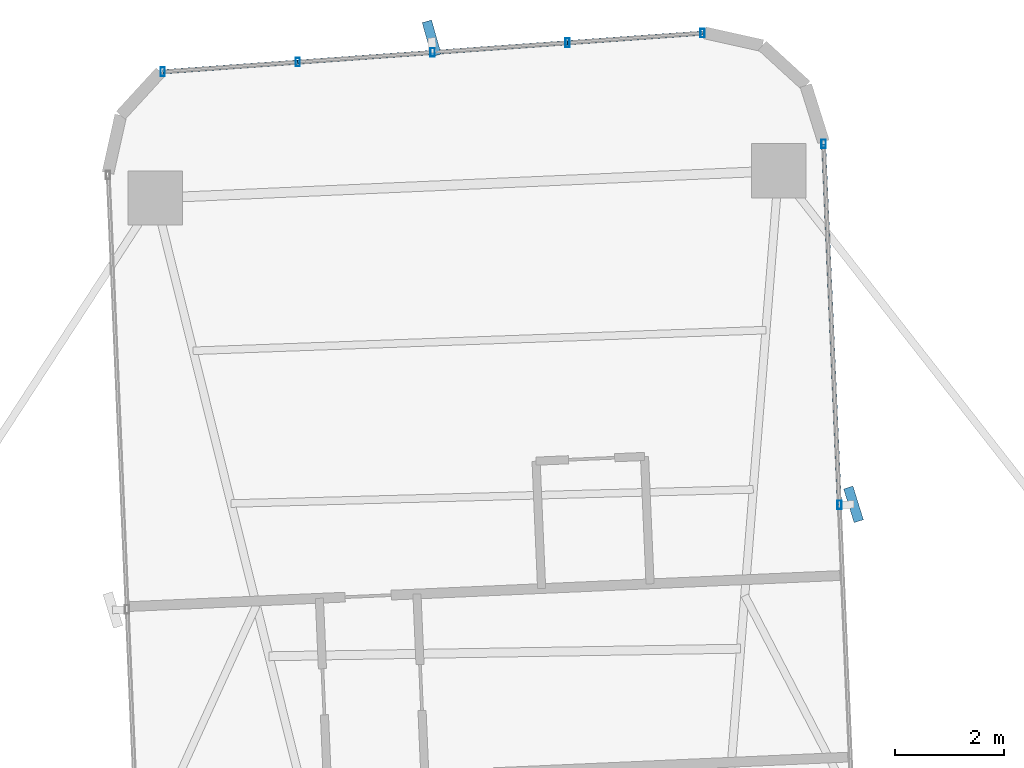
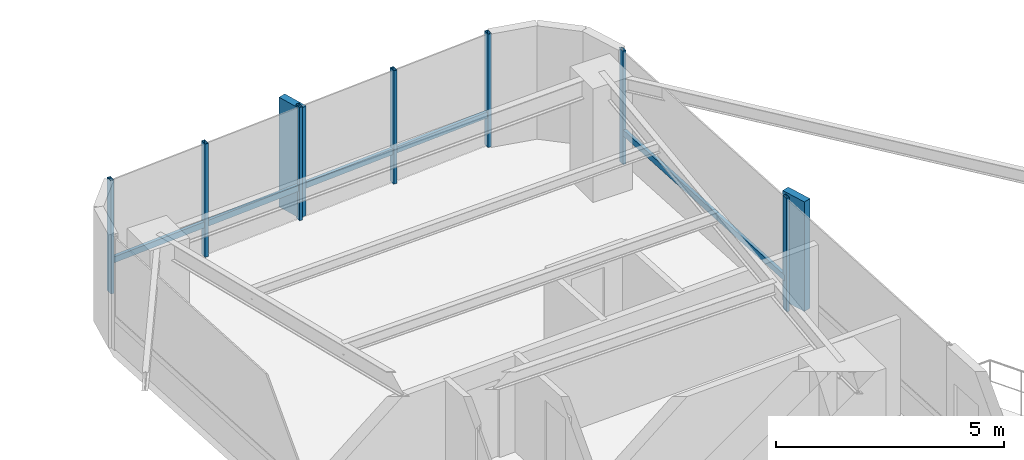
# One storey, part 19 of 26: 14 members, 2 elements without a shape of their own.
"""IFC4 building model written with IfcOpenShell, lengths in metres."""

from ifc_helpers import new_model, si_unit, direction, frame, origin, origin_2d, place, context, subcontext, project, spatial, rectangle, hollow_rectangle, extrude, source, transform, mapped, material, material_profile, profile_set, type_object, element, aggregate, save


model = new_model("IFC4")

# Units and contexts
model_context = context("Model", 3, precision=1e-05, world=origin(), true_north=direction((0.0, 1.0)))
body_context = subcontext(model_context, "Body", "Model", "MODEL_VIEW")
ifc_project = project(units=[si_unit("LENGTHUNIT", "METRE"), si_unit("AREAUNIT", "SQUARE_METRE"), si_unit("VOLUMEUNIT", "CUBIC_METRE"), si_unit("PLANEANGLEUNIT", "RADIAN"), si_unit("MASSUNIT", "GRAM", prefix="KILO")], contexts=[model_context])

# Site, building, storey
site_placement = place(None, origin())
site = spatial("IfcSite", under=ifc_project, at=site_placement, CompositionType="ELEMENT")
building_placement = place(site_placement, origin())
building = spatial("IfcBuilding", under=site, at=building_placement, Name="Sahyath Konkavel Grand Hotel", CompositionType="ELEMENT")
storey_placement = place(building_placement, frame((0.0, 0.0, 134.89990234375)))
storey = spatial("IfcBuildingStorey", under=building, at=storey_placement, Name="L37", CompositionType="ELEMENT", Elevation=134.89990234375)

# Curtain wall, members
ifc_material_1 = material(Name="Anodised Bronze Aluminium & Low-E Glazing", Category="aluminium")
curtain_wall_type = type_object("IfcCurtainWallType", Name="CW-ZONE2", PredefinedType="NOTDEFINED", material=ifc_material_1)
curtain_wall_1_placement = place(storey_placement, origin())
curtain_wall_1 = element("IfcCurtainWall", 1, at=curtain_wall_1_placement, inside=storey, type_object=curtain_wall_type, Name="L37 Unitised Curtain Wall F8", PredefinedType="NOTDEFINED")
ifc_material_2 = material(Name="Anodised Bronze Aluminium", Category="aluminium")
ifc_material_profile_1 = material_profile(ifc_material_2, hollow_rectangle(XDim=0.080078125, YDim=0.159912109375, WallThickness=0.006103515625, at=origin_2d()), Name="RHS 160x80x6")
ifc_profile_set_1 = profile_set([ifc_material_profile_1], Name="Anodised Bronze Aluminium")
member_type_1 = type_object("IfcMemberType", Name="CW-MUL-160", PredefinedType="MULLION", material=ifc_profile_set_1)
shared_shape_1 = source(origin(), body_context, "Body", "SweptSolid", [
    extrude(hollow_rectangle(XDim=0.080078125, YDim=0.159912109375, WallThickness=0.006103515625, at=origin_2d()), origin(), (0.0, 0.0, 1.0), 3.030029296875),
])
member_1_placement = place(storey_placement, frame((5.895751953125, 16.272705078125, 0.0), z_axis=(0.0, 0.0, 1.0), x_axis=(1.0, 0.0, 0.0)))
member_1 = element("IfcMember", 2, at=member_1_placement, type_object=member_type_1, Name="L37 Curtain Wall Mullion F8-1", PredefinedType="MULLION", context=body_context, shape_type="MappedRepresentation", body=[
    mapped(shared_shape_1, transform((0.0, 0.0, 0.0), scale=1.0)),
])
member_2_placement = place(storey_placement, frame((5.605224609375, 22.92626953125, 0.0), z_axis=(0.0, 0.0, 1.0), x_axis=(1.0, 0.0, 0.0)))
member_2 = element("IfcMember", 3, at=member_2_placement, type_object=member_type_1, Name="L37 Curtain Wall Mullion F8-2", PredefinedType="MULLION", context=body_context, shape_type="MappedRepresentation", body=[
    mapped(shared_shape_1, transform((0.0, 0.0, 0.0), scale=1.0)),
])

curtain_wall_2_placement = place(storey_placement, origin())
curtain_wall_2 = element("IfcCurtainWall", 4, at=curtain_wall_2_placement, inside=storey, type_object=curtain_wall_type, Name="L37 Unitised Curtain Wall F12", PredefinedType="NOTDEFINED")
member_3_placement = place(storey_placement, frame((3.3740234375, 24.9697265625, 0.0), z_axis=(0.0, 0.0, 1.0), x_axis=(1.0, 0.0, 0.0)))
member_3 = element("IfcMember", 5, at=member_3_placement, type_object=member_type_1, Name="L37 Curtain Wall Mullion F12-0", PredefinedType="MULLION", context=body_context, shape_type="MappedRepresentation", body=[
    mapped(shared_shape_1, transform((0.0, 0.0, 0.0), scale=1.0)),
])
member_4_placement = place(storey_placement, frame((0.886962890625, 24.79150390625, 0.0), z_axis=(0.0, 0.0, 1.0), x_axis=(1.0, 0.0, 0.0)))
member_4 = element("IfcMember", 6, at=member_4_placement, type_object=member_type_1, Name="L37 Curtain Wall Mullion F12-1", PredefinedType="MULLION", context=body_context, shape_type="MappedRepresentation", body=[
    mapped(shared_shape_1, transform((0.0, 0.0, 0.0), scale=1.0)),
])
member_5_placement = place(storey_placement, frame((-1.60009765625, 24.61279296875, 0.0), z_axis=(0.0, 0.0, 1.0), x_axis=(1.0, 0.0, 0.0)))
member_5 = element("IfcMember", 7, at=member_5_placement, type_object=member_type_1, Name="L37 Curtain Wall Mullion F12-2", PredefinedType="MULLION", context=body_context, shape_type="MappedRepresentation", body=[
    mapped(shared_shape_1, transform((0.0, 0.0, 0.0), scale=1.0)),
])
member_6_placement = place(storey_placement, frame((-4.087158203125, 24.4345703125, 0.0), z_axis=(0.0, 0.0, 1.0), x_axis=(1.0, 0.0, 0.0)))
member_6 = element("IfcMember", 8, at=member_6_placement, type_object=member_type_1, Name="L37 Curtain Wall Mullion F12-3", PredefinedType="MULLION", context=body_context, shape_type="MappedRepresentation", body=[
    mapped(shared_shape_1, transform((0.0, 0.0, 0.0), scale=1.0)),
])
member_7_placement = place(storey_placement, frame((-6.57421875, 24.256103515625, 0.0), z_axis=(0.0, 0.0, 1.0), x_axis=(1.0, 0.0, 0.0)))
member_7 = element("IfcMember", 9, at=member_7_placement, type_object=member_type_1, Name="L37 Curtain Wall Mullion F12-4", PredefinedType="MULLION", context=body_context, shape_type="MappedRepresentation", body=[
    mapped(shared_shape_1, transform((0.0, 0.0, 0.0), scale=1.0)),
])

# Member
ifc_material_3 = material(Name="Warm Buff Sandstone Cladding on Concrete C50/60", Category="masonry")
ifc_material_profile_2 = material_profile(ifc_material_3, rectangle(XDim=0.179931640625, YDim=0.64990234375, at=origin_2d()), Name="FIN 180x650")
ifc_profile_set_2 = profile_set([ifc_material_profile_2], Name="Warm Buff Sandstone Cladding on Concrete C50/60")
member_type_2 = type_object("IfcMemberType", Name="FIN-SANDSTONE-650", PredefinedType="MULLION", material=ifc_profile_set_2)
shared_shape_2 = source(origin(), body_context, "Body", "SweptSolid", [
    extrude(rectangle(XDim=0.179931640625, YDim=0.64990234375, at=origin_2d()), origin(), (0.0, 0.0, 1.0), 2.929931640625),
])
member_8_placement = place(storey_placement, frame((6.155517578125, 16.283935546875, 0.050048828125), z_axis=(0.0, 0.0, 1.0), x_axis=(0.954812686667, 0.297208232354, 0.0)))
member_8 = element("IfcMember", 10, at=member_8_placement, type_object=member_type_2, Name="L37 Sandstone Vertical Solar Fin FIN F8-1", PredefinedType="MULLION", context=body_context, shape_type="MappedRepresentation", body=[
    mapped(shared_shape_2, transform((0.0, 0.0, 0.0), scale=1.0)),
])

member_9_placement = place(storey_placement, frame((-1.61865234375, 24.872314453125, 0.050048828125), z_axis=(0.0, 0.0, 1.0), x_axis=(0.962360427228, 0.271776393577, 0.0)))
member_9 = element("IfcMember", 11, at=member_9_placement, type_object=member_type_2, Name="L37 Sandstone Vertical Solar Fin FIN F12-2", PredefinedType="MULLION", context=body_context, shape_type="MappedRepresentation", body=[
    mapped(shared_shape_2, transform((0.0, 0.0, 0.0), scale=1.0)),
])

ifc_material_profile_3 = material_profile(ifc_material_2, hollow_rectangle(XDim=0.080078125, YDim=0.159912109375, WallThickness=0.006103515625, at=origin_2d()), Name="RHS 160x80x6")
ifc_profile_set_3 = profile_set([ifc_material_profile_3], Name="Anodised Bronze Aluminium")
member_type_3 = type_object("IfcMemberType", Name="CW-TRN-160", PredefinedType="USERDEFINED", material=ifc_profile_set_3)
shared_shape_3 = source(origin(), body_context, "Body", "SweptSolid", [
    extrude(hollow_rectangle(XDim=0.080078125, YDim=0.159912109375, WallThickness=0.006103515625, at=origin_2d()), origin(), (0.0, 0.0, 1.0), 2.493408203125),
])
member_10_placement = place(storey_placement, frame((3.3740234375, 24.9697265625, 0.85009765625), z_axis=(-0.997442271688, -0.071476672066, 0.0), x_axis=(0.071476672066, -0.997442271688, 0.0)))
member_10 = element("IfcMember", 12, at=member_10_placement, type_object=member_type_3, Name="L37 Curtain Wall Transom F12-0-spandrel", ObjectType="TRANSOM", PredefinedType="USERDEFINED", context=body_context, shape_type="MappedRepresentation", body=[
    mapped(shared_shape_3, transform((0.0, 0.0, 0.0), scale=1.0)),
])

member_11_placement = place(storey_placement, frame((0.886962890625, 24.79150390625, 0.85009765625), z_axis=(-0.997428291631, -0.071671494009, 0.0), x_axis=(0.071671494009, -0.997428291631, 0.0)))
member_11 = element("IfcMember", 13, at=member_11_placement, type_object=member_type_3, Name="L37 Curtain Wall Transom F12-1-spandrel", ObjectType="TRANSOM", PredefinedType="USERDEFINED", context=body_context, shape_type="MappedRepresentation", body=[
    mapped(shared_shape_3, transform((0.0, 0.0, 0.0), scale=1.0)),
])

member_12_placement = place(storey_placement, frame((-1.60009765625, 24.61279296875, 0.85009765625), z_axis=(-0.997442271688, -0.071476672066, 0.0), x_axis=(0.071476672066, -0.997442271688, 0.0)))
member_12 = element("IfcMember", 14, at=member_12_placement, type_object=member_type_3, Name="L37 Curtain Wall Transom F12-2-spandrel", ObjectType="TRANSOM", PredefinedType="USERDEFINED", context=body_context, shape_type="MappedRepresentation", body=[
    mapped(shared_shape_3, transform((0.0, 0.0, 0.0), scale=1.0)),
])

member_13_placement = place(storey_placement, frame((-4.087158203125, 24.4345703125, 0.85009765625), z_axis=(-0.997435286367, -0.071574084062, 0.0), x_axis=(0.071574084062, -0.997435286367, 0.0)))
member_13 = element("IfcMember", 15, at=member_13_placement, type_object=member_type_3, Name="L37 Curtain Wall Transom F12-3-spandrel", ObjectType="TRANSOM", PredefinedType="USERDEFINED", context=body_context, shape_type="MappedRepresentation", body=[
    mapped(shared_shape_3, transform((0.0, 0.0, 0.0), scale=1.0)),
])

aggregate(curtain_wall_2, [member_3, member_4, member_5, member_9, member_6, member_7, member_10, member_11, member_12, member_13])

shared_shape_4 = source(origin(), body_context, "Body", "SweptSolid", [
    extrude(hollow_rectangle(XDim=0.080078125, YDim=0.159912109375, WallThickness=0.006103515625, at=origin_2d()), origin(), (0.0, 0.0, 1.0), 6.659912109375),
])
member_14_placement = place(storey_placement, frame((5.895751953125, 16.272705078125, 0.85009765625), z_axis=(-0.043623350741, 0.999048048529, 0.0), x_axis=(-0.999048048529, -0.043623350741, 0.0)))
member_14 = element("IfcMember", 16, at=member_14_placement, type_object=member_type_3, Name="L37 Curtain Wall Transom F8-1-spandrel", ObjectType="TRANSOM", PredefinedType="USERDEFINED", context=body_context, shape_type="MappedRepresentation", body=[
    mapped(shared_shape_4, transform((0.0, 0.0, 0.0), scale=1.0)),
])

aggregate(curtain_wall_1, [member_1, member_8, member_2, member_14])

save(model, "model.ifc")
